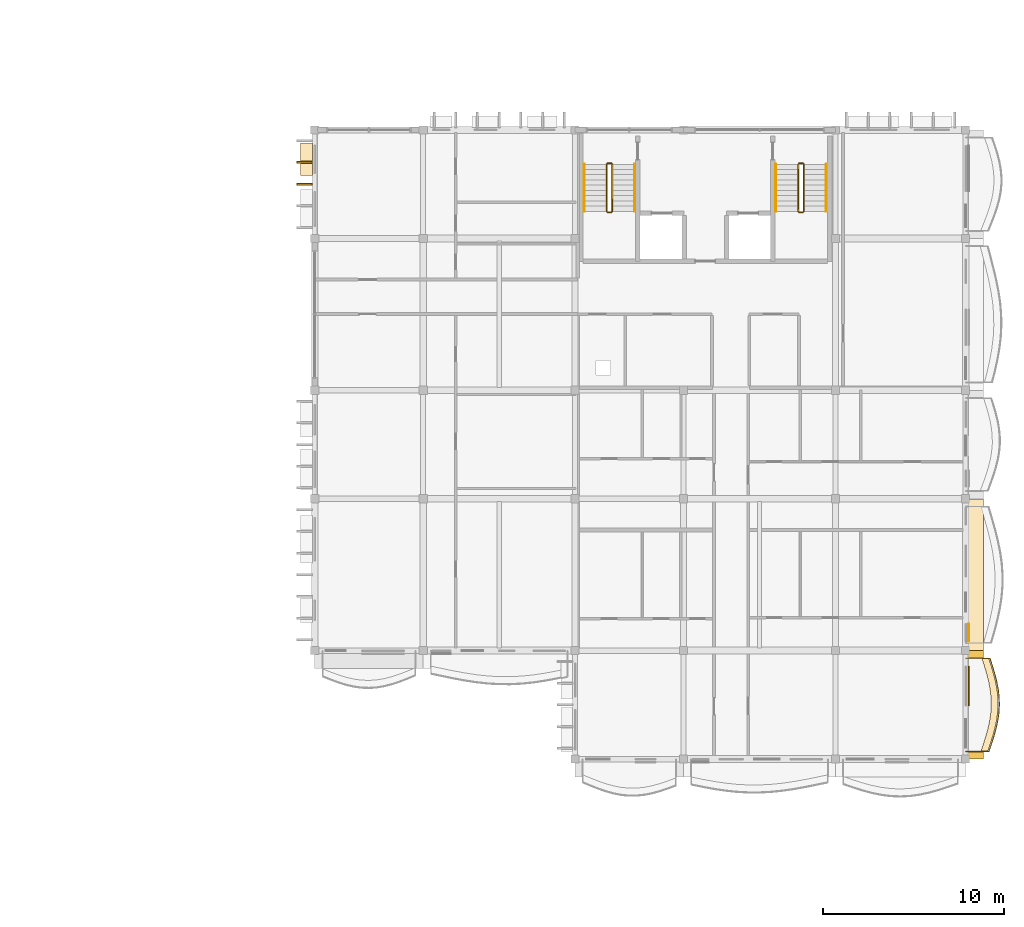
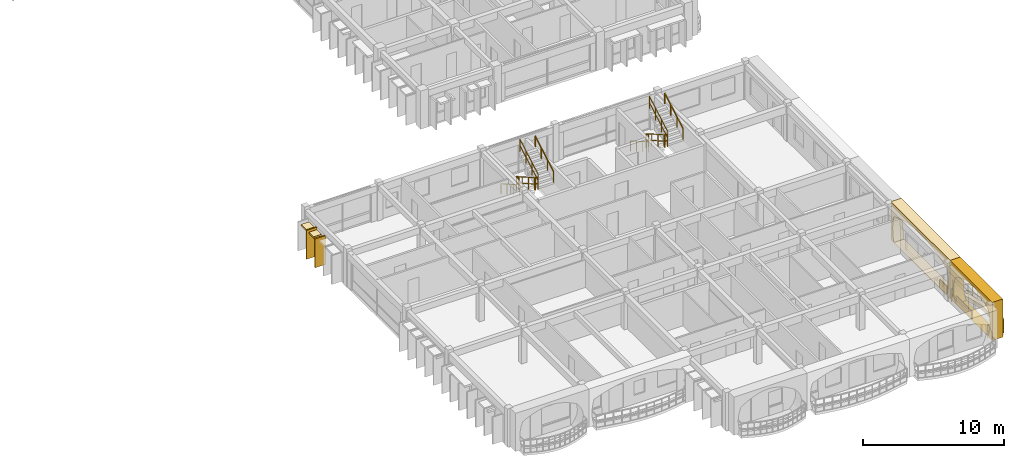
# One storey, part 68 of 76: 13 railings, 8 coverings.
"""IFC4 building model written with IfcOpenShell, lengths in metres."""

from ifc_helpers import new_model, si_unit, direction, frame, origin, origin_2d, place, context, subcontext, project, spatial, polyline, rectangle, outline, extrude, material, layer, layer_set, type_object, element, save


model = new_model("IFC4")

# Units and contexts
model_context = context("Model", 3, precision=1e-05, world=origin(), true_north=direction((0.0, 1.0)))
body_context = subcontext(model_context, "Body", "Model", "MODEL_VIEW")
ifc_project = project(units=[si_unit("LENGTHUNIT", "METRE"), si_unit("AREAUNIT", "SQUARE_METRE"), si_unit("VOLUMEUNIT", "CUBIC_METRE"), si_unit("PLANEANGLEUNIT", "RADIAN"), si_unit("MASSUNIT", "GRAM", prefix="KILO"), si_unit("THERMODYNAMICTEMPERATUREUNIT", "KELVIN")], contexts=[model_context])

# Site, building, storey
site_placement = place(None, origin())
site = spatial("IfcSite", under=ifc_project, at=site_placement, CompositionType="ELEMENT")
building_placement = place(site_placement, origin())
building = spatial("IfcBuilding", under=site, at=building_placement, Name="Thalorik Housing Commons", CompositionType="ELEMENT")
storey_placement = place(building_placement, frame((0.0, 0.0, 18.0)))
storey = spatial("IfcBuildingStorey", under=building, at=storey_placement, Name="L05", CompositionType="ELEMENT", Elevation=18.0)

# Coverings
ifc_material_1 = material(Name="Precast concrete C40/50", Category="concrete")
ifc_layer_1 = layer(ifc_material_1, 0.85009765625, Name="Precast concrete C40/50", Category="concrete")
ifc_layer_set_1 = layer_set([ifc_layer_1], Name="Precast concrete C40/50")
covering_type_1 = type_object("IfcCoveringType", Name="ARC-CLD-CUSH-850", PredefinedType="CLADDING", material=ifc_layer_set_1)
covering_1_placement = place(storey_placement, frame((174.554931640625, 40.199951171875, 0.0), z_axis=(0.0, 0.0, 1.0), x_axis=(0.0, 1.0, 0.0)))
element("IfcCovering", 1, at=covering_1_placement, inside=storey, type_object=covering_type_1, Name="L05 White Precast Curved Cushion Bay Frame 4893", PredefinedType="CLADDING", context=body_context, shape_type="SweptSolid", body=[
    extrude(outline(polyline([(-3.0, 0.0), (3.0, 0.0), (3.0, 3.300048828125), (-3.0, 3.300048828125), (-3.0, 0.0)]), holes=[polyline([(2.18994140625, 0.02490234375), (2.389892578125, 0.407470703125), (2.510009765625, 0.7900390625), (2.550048828125, 1.172607421875), (2.510009765625, 1.554931640625), (2.389892578125, 1.9375), (2.18994140625, 2.320068359375), (1.804931640625, 2.539306640625), (1.419921875, 2.711181640625), (1.034912109375, 2.8505859375), (0.64990234375, 2.954345703125), (0.264892578125, 3.018310546875), (-0.1201171875, 3.0400390625), (-0.5048828125, 3.018310546875), (-0.889892578125, 2.954345703125), (-1.27490234375, 2.8505859375), (-1.659912109375, 2.711181640625), (-2.044921875, 2.539306640625), (-2.429931640625, 2.320068359375), (-2.55029296875, 1.9375), (-2.62255859375, 1.554931640625), (-2.646484375, 1.172607421875), (-2.62255859375, 0.7900390625), (-2.55029296875, 0.407470703125), (-2.429931640625, 0.02490234375), (2.18994140625, 0.02490234375)])]), frame((0.0, 0.425048828125, 0.0), z_axis=(0.0, -1.0, 0.0), x_axis=(1.0, 0.0, 0.0)), (0.0, 0.0, 1.0), 0.85009765625),
])
covering_2_placement = place(storey_placement, frame((174.554931640625, 47.39990234375, 0.0), z_axis=(0.0, 0.0, 1.0), x_axis=(0.0, 1.0, 0.0)))
element("IfcCovering", 2, at=covering_2_placement, inside=storey, type_object=covering_type_1, Name="L05 White Precast Curved Cushion Bay Frame 4895", PredefinedType="CLADDING", context=body_context, shape_type="SweptSolid", body=[
    extrude(outline(polyline([(-4.199951171875, 0.0), (4.199951171875, 0.0), (4.199951171875, 3.300048828125), (-4.199951171875, 3.300048828125), (-4.199951171875, 0.0)]), holes=[polyline([(3.764892578125, 0.02490234375), (3.856689453125, 0.399169921875), (3.911865234375, 0.773193359375), (3.930419921875, 1.1474609375), (3.911865234375, 1.521728515625), (3.856689453125, 1.895751953125), (3.764892578125, 2.27001953125), (3.138916015625, 2.50439453125), (2.5126953125, 2.6884765625), (1.88671875, 2.837646484375), (1.260498046875, 2.948486328125), (0.63427734375, 3.016845703125), (0.00830078125, 3.0400390625), (-0.617919921875, 3.016845703125), (-1.244140625, 2.948486328125), (-1.8701171875, 2.837646484375), (-2.496337890625, 2.6884765625), (-3.12255859375, 2.50439453125), (-3.74853515625, 2.27001953125), (-3.843994140625, 1.895751953125), (-3.901123046875, 1.521728515625), (-3.920166015625, 1.1474609375), (-3.901123046875, 0.773193359375), (-3.843994140625, 0.399169921875), (-3.74853515625, 0.02490234375), (3.764892578125, 0.02490234375)])]), frame((0.0, 0.425048828125, 0.0), z_axis=(0.0, -1.0, 0.0), x_axis=(1.0, 0.0, 0.0)), (0.0, 0.0, 1.0), 0.85009765625),
])
ifc_layer_2 = layer(ifc_material_1, 0.85009765625, Name="Precast concrete C40/50", Category="concrete")
ifc_layer_set_2 = layer_set([ifc_layer_2], Name="Precast concrete C40/50")
covering_type_2 = type_object("IfcCoveringType", Name="ARC-CLD-FIN-850", PredefinedType="CLADDING", material=ifc_layer_set_2)
for number, where, z_axis, x_axis, name in (
    (3, (137.445068359375, 70.199951171875, 0.0400390625), (0.0, 0.0, 1.0), (0.0, -1.0, 0.0), "L05 Courtyard Precast Vertical Brise-Soleil Fin 4854"),
    (4, (137.445068359375, 69.0, 0.0400390625), (0.0, 0.0, 1.0), (0.0, -1.0, 0.0), "L05 Courtyard Precast Vertical Brise-Soleil Fin 4855"),
):
    element("IfcCovering", number, at=place(storey_placement, frame(where, z_axis=z_axis, x_axis=x_axis)), inside=storey, type_object=covering_type_2, Name=name, PredefinedType="CLADDING", context=body_context, shape_type="SweptSolid", body=[
        extrude(rectangle(XDim=0.110107421875, YDim=0.85009765625, at=origin_2d()), origin(), (0.0, 0.0, 1.0), 2.4951171875),
    ])
ifc_layer_3 = layer(ifc_material_1, 0.64990234375, Name="Precast concrete C40/50", Category="concrete")
ifc_layer_set_3 = layer_set([ifc_layer_3], Name="Precast concrete C40/50")
covering_type_3 = type_object("IfcCoveringType", Name="ARC-CLD-HOOD-650", PredefinedType="CLADDING", material=ifc_layer_set_3)
covering_3_placement = place(storey_placement, frame((137.544921875, 70.3701171875, 2.18994140625), z_axis=(0.0, 0.0, 1.0), x_axis=(0.0, -1.0, 0.0)))
element("IfcCovering", 5, at=covering_3_placement, inside=storey, type_object=covering_type_3, Name="L05 Courtyard Precast Window Sun-Hood 4858", PredefinedType="CLADDING", context=body_context, shape_type="SweptSolid", body=[
    extrude(rectangle(XDim=1.7900390625, YDim=0.64990234375, at=origin_2d()), origin(), (0.0, 0.0, 1.0), 0.139892578125),
])
ifc_material_2 = material(Name="Terracotta red mineral fibre-cement panel", Category="masonry")
ifc_layer_4 = layer(ifc_material_2, 0.054931640625, Name="Terracotta red mineral fibre-cement panel", Category="masonry")
ifc_layer_set_4 = layer_set([ifc_layer_4], Name="Terracotta red mineral fibre-cement panel")
covering_type_4 = type_object("IfcCoveringType", Name="ARC-CLD-RED-55", PredefinedType="CLADDING", material=ifc_layer_set_4)
covering_4_placement = place(storey_placement, frame((174.16259765625, 44.201416015625, 0.0498046875), z_axis=(0.0, 0.0, 1.0), x_axis=(0.0, 1.0, 0.0)))
element("IfcCovering", 6, at=covering_4_placement, inside=storey, type_object=covering_type_4, Name="L05 De Stijl Recessed Window Spandrel 4896", PredefinedType="CLADDING", context=body_context, shape_type="SweptSolid", body=[
    extrude(rectangle(XDim=1.0, YDim=0.054931640625, at=origin_2d()), origin(), (0.0, 0.0, 1.0), 0.699951171875),
])
ifc_material_3 = material(Name="Mineral ochre architectural terracotta panel", Category="masonry")
ifc_layer_5 = layer(ifc_material_3, 0.06494140625, Name="Mineral ochre architectural terracotta panel", Category="masonry")
ifc_layer_set_5 = layer_set([ifc_layer_5], Name="Mineral ochre architectural terracotta panel")
covering_type_5 = type_object("IfcCoveringType", Name="ARC-CLD-YEL-65", PredefinedType="CLADDING", material=ifc_layer_set_5)
covering_5_placement = place(storey_placement, frame((174.16748046875, 41.239990234375, 0.0498046875), z_axis=(0.0, 0.0, 1.0), x_axis=(0.0, 1.0, 0.0)))
element("IfcCovering", 7, at=covering_5_placement, inside=storey, type_object=covering_type_5, Name="L05 De Stijl Recessed Window Spandrel 4894", PredefinedType="CLADDING", context=body_context, shape_type="SweptSolid", body=[
    extrude(rectangle(XDim=2.199951171875, YDim=0.06494140625, at=origin_2d()), origin(), (0.0, 0.0, 1.0), 0.699951171875),
])
ifc_material_4 = material(Name="Planted vegetated substrate and terracotta trough", Category="masonry")
ifc_layer_6 = layer(ifc_material_4, 0.340087890625, Name="Planted vegetated substrate and terracotta trough", Category="masonry")
ifc_layer_set_6 = layer_set([ifc_layer_6], Name="Planted vegetated substrate and terracotta trough")
covering_type_6 = type_object("IfcCoveringType", Name="ARC-COV-PLANTER", PredefinedType="USERDEFINED", material=ifc_layer_set_6)
covering_6_placement = place(storey_placement, origin())
element("IfcCovering", 8, at=covering_6_placement, inside=storey, type_object=covering_type_6, Name="L05 Balcony Slab-Edge Planted Trough 5675", ObjectType="PLANTER", PredefinedType="USERDEFINED", context=body_context, shape_type="SweptSolid", body=[
    extrude(outline(polyline([(175.2216796875, 37.6201171875), (175.364501953125, 38.050048828125), (175.5, 38.47998046875), (175.6181640625, 38.909912109375), (175.710693359375, 39.340087890625), (175.771484375, 39.77001953125), (175.796142578125, 40.199951171875), (175.782958984375, 40.6298828125), (175.7333984375, 41.06005859375), (175.65087890625, 41.489990234375), (175.5419921875, 41.919921875), (175.414306640625, 42.35009765625), (175.27734375, 42.780029296875), (174.897216796875, 42.780029296875), (175.0341796875, 42.35009765625), (175.161865234375, 41.919921875), (175.27099609375, 41.489990234375), (175.353271484375, 41.06005859375), (175.403076171875, 40.6298828125), (175.416015625, 40.199951171875), (175.3916015625, 39.77001953125), (175.330810546875, 39.340087890625), (175.238037109375, 38.909912109375), (175.119873046875, 38.47998046875), (174.984619140625, 38.050048828125), (174.841796875, 37.6201171875), (175.2216796875, 37.6201171875)])), origin(), (0.0, 0.0, 1.0), 0.340087890625),
])

# Railings
ifc_material_5 = material(Name="Steel S355", Category="steel")
railing_type_1 = type_object("IfcRailingType", Name="ARC-RL-BAL-115", PredefinedType="BALUSTRADE", material=ifc_material_5)
railing_1_placement = place(storey_placement, frame((174.0, 37.6201171875, 0.0)))
element("IfcRailing", 9, at=railing_1_placement, inside=storey, type_object=railing_type_1, Name="L05 Cushion Balcony Guardrail 359", PredefinedType="BALUSTRADE", context=body_context, shape_type="SweptSolid", body=[
    extrude(rectangle(XDim=0.050048828125, YDim=0.050048828125, at=origin_2d()), frame((0.0, 0.0, 1.125), z_axis=(1.0, 0.0, 0.0), x_axis=(0.0, 1.0, 0.0)), (0.0, 0.0, 1.0), 1.291748046875),
    extrude(rectangle(XDim=0.050048828125, YDim=0.050048828125, at=origin_2d()), frame((0.0, 0.0, 0.5498046875), z_axis=(1.0, 0.0, 0.0), x_axis=(0.0, 1.0, 0.0)), (0.0, 0.0, 1.0), 1.291748046875),
    extrude(rectangle(XDim=0.050048828125, YDim=0.050048828125, at=origin_2d()), frame((1.291748046875, 0.0, 1.125), z_axis=(0.315257577395, 0.949006143234, 0.0), x_axis=(-0.949006143234, 0.315257577395, 0.0)), (0.0, 0.0, 1.0), 0.453125),
    extrude(rectangle(XDim=0.050048828125, YDim=0.050048828125, at=origin_2d()), frame((1.291748046875, 0.0, 0.5498046875), z_axis=(0.315257577395, 0.949006143234, 0.0), x_axis=(-0.949006143234, 0.315257577395, 0.0)), (0.0, 0.0, 1.0), 0.453125),
    extrude(rectangle(XDim=0.050048828125, YDim=0.050048828125, at=origin_2d()), frame((1.4345703125, 0.429931640625, 1.125), z_axis=(0.300094208559, 0.953909569084, 0.0), x_axis=(-0.953909569084, 0.300094208559, 0.0)), (0.0, 0.0, 1.0), 0.45068359375),
    extrude(rectangle(XDim=0.050048828125, YDim=0.050048828125, at=origin_2d()), frame((1.4345703125, 0.429931640625, 0.5498046875), z_axis=(0.300094208559, 0.953909569084, 0.0), x_axis=(-0.953909569084, 0.300094208559, 0.0)), (0.0, 0.0, 1.0), 0.45068359375),
    extrude(rectangle(XDim=0.050048828125, YDim=0.050048828125, at=origin_2d()), frame((1.56982421875, 0.85986328125, 1.125), z_axis=(0.265016489476, 0.964243880098, 0.0), x_axis=(-0.964243880098, 0.265016489476, 0.0)), (0.0, 0.0, 1.0), 0.44580078125),
    extrude(rectangle(XDim=0.050048828125, YDim=0.050048828125, at=origin_2d()), frame((1.56982421875, 0.85986328125, 0.5498046875), z_axis=(0.265016489476, 0.964243880098, 0.0), x_axis=(-0.964243880098, 0.265016489476, 0.0)), (0.0, 0.0, 1.0), 0.44580078125),
    extrude(rectangle(XDim=0.050048828125, YDim=0.050048828125, at=origin_2d()), frame((1.68798828125, 1.289794921875, 1.125), z_axis=(0.210817083174, 0.97752552777, 0.0), x_axis=(-0.97752552777, 0.210817083174, 0.0)), (0.0, 0.0, 1.0), 0.440185546875),
    extrude(rectangle(XDim=0.050048828125, YDim=0.050048828125, at=origin_2d()), frame((1.68798828125, 1.289794921875, 0.5498046875), z_axis=(0.210817083174, 0.97752552777, 0.0), x_axis=(-0.97752552777, 0.210817083174, 0.0)), (0.0, 0.0, 1.0), 0.440185546875),
    extrude(rectangle(XDim=0.050048828125, YDim=0.050048828125, at=origin_2d()), frame((1.78076171875, 1.719970703125, 1.125), z_axis=(0.140004300387, 0.990150895507, 0.0), x_axis=(-0.990150895507, 0.140004300387, 0.0)), (0.0, 0.0, 1.0), 0.434326171875),
    extrude(rectangle(XDim=0.050048828125, YDim=0.050048828125, at=origin_2d()), frame((1.78076171875, 1.719970703125, 0.5498046875), z_axis=(0.140004300387, 0.990150895507, 0.0), x_axis=(-0.990150895507, 0.140004300387, 0.0)), (0.0, 0.0, 1.0), 0.434326171875),
    extrude(rectangle(XDim=0.050048828125, YDim=0.050048828125, at=origin_2d()), frame((1.841552734375, 2.14990234375, 1.125), z_axis=(0.057259677, 0.998359318778, 0.0), x_axis=(-0.998359318778, 0.057259677, 0.0)), (0.0, 0.0, 1.0), 0.4306640625),
    extrude(rectangle(XDim=0.050048828125, YDim=0.050048828125, at=origin_2d()), frame((1.841552734375, 2.14990234375, 0.5498046875), z_axis=(0.057259677, 0.998359318778, 0.0), x_axis=(-0.998359318778, 0.057259677, 0.0)), (0.0, 0.0, 1.0), 0.4306640625),
    extrude(rectangle(XDim=0.050048828125, YDim=0.050048828125, at=origin_2d()), frame((1.8662109375, 2.579833984375, 1.125), z_axis=(-0.030649988445, 0.999530178738, 0.0), x_axis=(-0.999530178738, -0.030649988445, 0.0)), (0.0, 0.0, 1.0), 0.43017578125),
    extrude(rectangle(XDim=0.050048828125, YDim=0.050048828125, at=origin_2d()), frame((1.8662109375, 2.579833984375, 0.5498046875), z_axis=(-0.030649988445, 0.999530178738, 0.0), x_axis=(-0.999530178738, -0.030649988445, 0.0)), (0.0, 0.0, 1.0), 0.43017578125),
    extrude(rectangle(XDim=0.050048828125, YDim=0.050048828125, at=origin_2d()), frame((1.85302734375, 3.009765625, 1.125), z_axis=(-0.115009274268, 0.993364417942, 0.0), x_axis=(-0.993364417942, -0.115009274268, 0.0)), (0.0, 0.0, 1.0), 0.43310546875),
    extrude(rectangle(XDim=0.050048828125, YDim=0.050048828125, at=origin_2d()), frame((1.85302734375, 3.009765625, 0.5498046875), z_axis=(-0.115009274268, 0.993364417942, 0.0), x_axis=(-0.993364417942, -0.115009274268, 0.0)), (0.0, 0.0, 1.0), 0.43310546875),
    extrude(rectangle(XDim=0.050048828125, YDim=0.050048828125, at=origin_2d()), frame((1.80322265625, 3.43994140625, 1.125), z_axis=(-0.187957799209, 0.982177105066, 0.0), x_axis=(-0.982177105066, -0.187957799209, 0.0)), (0.0, 0.0, 1.0), 0.437744140625),
    extrude(rectangle(XDim=0.050048828125, YDim=0.050048828125, at=origin_2d()), frame((1.80322265625, 3.43994140625, 0.5498046875), z_axis=(-0.187957799209, 0.982177105066, 0.0), x_axis=(-0.982177105066, -0.187957799209, 0.0)), (0.0, 0.0, 1.0), 0.437744140625),
    extrude(rectangle(XDim=0.050048828125, YDim=0.050048828125, at=origin_2d()), frame((1.720947265625, 3.869873046875, 1.125), z_axis=(-0.246030735981, 0.969262026984, 0.0), x_axis=(-0.969262026984, -0.246030735981, 0.0)), (0.0, 0.0, 1.0), 0.443603515625),
    extrude(rectangle(XDim=0.050048828125, YDim=0.050048828125, at=origin_2d()), frame((1.720947265625, 3.869873046875, 0.5498046875), z_axis=(-0.246030735981, 0.969262026984, 0.0), x_axis=(-0.969262026984, -0.246030735981, 0.0)), (0.0, 0.0, 1.0), 0.443603515625),
    extrude(rectangle(XDim=0.050048828125, YDim=0.050048828125, at=origin_2d()), frame((1.61181640625, 4.2998046875, 1.125), z_axis=(-0.28405127448, 0.958809091251, 0.0), x_axis=(-0.958809091251, -0.28405127448, 0.0)), (0.0, 0.0, 1.0), 0.44873046875),
    extrude(rectangle(XDim=0.050048828125, YDim=0.050048828125, at=origin_2d()), frame((1.61181640625, 4.2998046875, 0.5498046875), z_axis=(-0.28405127448, 0.958809091251, 0.0), x_axis=(-0.958809091251, -0.28405127448, 0.0)), (0.0, 0.0, 1.0), 0.44873046875),
    extrude(rectangle(XDim=0.050048828125, YDim=0.050048828125, at=origin_2d()), frame((1.484375, 4.72998046875, 1.125), z_axis=(-0.30353863317, 0.952819131931, 0.0), x_axis=(-0.952819131931, -0.30353863317, 0.0)), (0.0, 0.0, 1.0), 0.451171875),
    extrude(rectangle(XDim=0.050048828125, YDim=0.050048828125, at=origin_2d()), frame((1.484375, 4.72998046875, 0.5498046875), z_axis=(-0.30353863317, 0.952819131931, 0.0), x_axis=(-0.952819131931, -0.30353863317, 0.0)), (0.0, 0.0, 1.0), 0.451171875),
    extrude(rectangle(XDim=0.050048828125, YDim=0.050048828125, at=origin_2d()), frame((1.347412109375, 5.159912109375, 1.125), z_axis=(-1.0, 0.0, 0.0), x_axis=(0.0, -1.0, 0.0)), (0.0, 0.0, 1.0), 1.347412109375),
    extrude(rectangle(XDim=0.050048828125, YDim=0.050048828125, at=origin_2d()), frame((1.347412109375, 5.159912109375, 0.5498046875), z_axis=(-1.0, 0.0, 0.0), x_axis=(0.0, -1.0, 0.0)), (0.0, 0.0, 1.0), 1.347412109375),
    extrude(rectangle(XDim=0.0419921875, YDim=0.0419921875, at=origin_2d()), origin(), (0.0, 0.0, 1.0), 1.099853515625),
    extrude(rectangle(XDim=0.0419921875, YDim=0.0419921875, at=origin_2d()), frame((1.291748046875, 0.0, 0.0)), (0.0, 0.0, 1.0), 1.099853515625),
    extrude(rectangle(XDim=0.0419921875, YDim=0.0419921875, at=origin_2d()), frame((1.4345703125, 0.429931640625, 0.0)), (0.0, 0.0, 1.0), 1.099853515625),
    extrude(rectangle(XDim=0.0419921875, YDim=0.0419921875, at=origin_2d()), frame((1.56982421875, 0.85986328125, 0.0)), (0.0, 0.0, 1.0), 1.099853515625),
    extrude(rectangle(XDim=0.0419921875, YDim=0.0419921875, at=origin_2d()), frame((1.68798828125, 1.289794921875, 0.0)), (0.0, 0.0, 1.0), 1.099853515625),
    extrude(rectangle(XDim=0.0419921875, YDim=0.0419921875, at=origin_2d()), frame((1.78076171875, 1.719970703125, 0.0)), (0.0, 0.0, 1.0), 1.099853515625),
    extrude(rectangle(XDim=0.0419921875, YDim=0.0419921875, at=origin_2d()), frame((1.841552734375, 2.14990234375, 0.0)), (0.0, 0.0, 1.0), 1.099853515625),
    extrude(rectangle(XDim=0.0419921875, YDim=0.0419921875, at=origin_2d()), frame((1.8662109375, 2.579833984375, 0.0)), (0.0, 0.0, 1.0), 1.099853515625),
    extrude(rectangle(XDim=0.0419921875, YDim=0.0419921875, at=origin_2d()), frame((1.85302734375, 3.009765625, 0.0)), (0.0, 0.0, 1.0), 1.099853515625),
    extrude(rectangle(XDim=0.0419921875, YDim=0.0419921875, at=origin_2d()), frame((1.80322265625, 3.43994140625, 0.0)), (0.0, 0.0, 1.0), 1.099853515625),
    extrude(rectangle(XDim=0.0419921875, YDim=0.0419921875, at=origin_2d()), frame((1.720947265625, 3.869873046875, 0.0)), (0.0, 0.0, 1.0), 1.099853515625),
    extrude(rectangle(XDim=0.0419921875, YDim=0.0419921875, at=origin_2d()), frame((1.61181640625, 4.2998046875, 0.0)), (0.0, 0.0, 1.0), 1.099853515625),
    extrude(rectangle(XDim=0.0419921875, YDim=0.0419921875, at=origin_2d()), frame((1.484375, 4.72998046875, 0.0)), (0.0, 0.0, 1.0), 1.099853515625),
    extrude(rectangle(XDim=0.0419921875, YDim=0.0419921875, at=origin_2d()), frame((1.347412109375, 5.159912109375, 0.0)), (0.0, 0.0, 1.0), 1.099853515625),
    extrude(rectangle(XDim=0.0419921875, YDim=0.0419921875, at=origin_2d()), frame((0.0, 5.159912109375, 0.0)), (0.0, 0.0, 1.0), 1.099853515625),
])
railing_type_2 = type_object("IfcRailingType", Name="ARC-RL-STR-GRD110", PredefinedType="GUARDRAIL", material=ifc_material_5)
railing_2_placement = place(storey_placement, frame((154.14990234375, 70.10009765625, 0.1650390625)))
element("IfcRailing", 10, at=railing_2_placement, inside=storey, type_object=railing_type_2, Name="L05 ST-D1 stair guard 1", PredefinedType="GUARDRAIL", context=body_context, shape_type="SweptSolid", body=[
    extrude(rectangle(XDim=0.048095703125, YDim=0.048095703125, at=origin_2d()), frame((0.0, 0.0, 1.076171875), z_axis=(0.0, -0.869192148207, 0.494474478103), x_axis=(1.0, 0.0, 0.0)), (0.0, 0.0, 1.0), 3.0029296875),
    extrude(rectangle(XDim=0.048095703125, YDim=0.048095703125, at=origin_2d()), frame((0.0, 0.0, 0.52587890625), z_axis=(0.0, -0.869192148207, 0.494474478103), x_axis=(1.0, 0.0, 0.0)), (0.0, 0.0, 1.0), 3.0029296875),
    extrude(rectangle(XDim=0.0419921875, YDim=0.0419921875, at=origin_2d()), origin(), (0.0, 0.0, 1.0), 1.052001953125),
    extrude(rectangle(XDim=0.0419921875, YDim=0.0419921875, at=origin_2d()), frame((0.0, -0.8701171875, 0.494873046875)), (0.0, 0.0, 1.0), 1.052001953125),
    extrude(rectangle(XDim=0.0419921875, YDim=0.0419921875, at=origin_2d()), frame((0.0, -1.739990234375, 0.989990234375)), (0.0, 0.0, 1.0), 1.052001953125),
    extrude(rectangle(XDim=0.0419921875, YDim=0.0419921875, at=origin_2d()), frame((0.0, -2.610107421875, 1.48486328125)), (0.0, 0.0, 1.0), 1.052001953125),
])
railing_3_placement = place(storey_placement, frame((154.199951171875, 67.43994140625, 1.64990234375)))
element("IfcRailing", 11, at=railing_3_placement, inside=storey, type_object=railing_type_2, Name="L05 ST-D1 stair guard 2", PredefinedType="GUARDRAIL", context=body_context, shape_type="SweptSolid", body=[
    extrude(rectangle(XDim=0.048095703125, YDim=0.048095703125, at=origin_2d()), frame((0.0, 0.0, 1.076171875), z_axis=(1.0, 0.0, 0.0), x_axis=(0.0, 1.0, 0.0)), (0.0, 0.0, 1.0), 0.199951171875),
    extrude(rectangle(XDim=0.048095703125, YDim=0.048095703125, at=origin_2d()), frame((0.0, 0.0, 0.52587890625), z_axis=(1.0, 0.0, 0.0), x_axis=(0.0, 1.0, 0.0)), (0.0, 0.0, 1.0), 0.199951171875),
    extrude(rectangle(XDim=0.0419921875, YDim=0.0419921875, at=origin_2d()), origin(), (0.0, 0.0, 1.0), 1.052001953125),
    extrude(rectangle(XDim=0.0419921875, YDim=0.0419921875, at=origin_2d()), frame((0.199951171875, 0.0, 0.0)), (0.0, 0.0, 1.0), 1.052001953125),
])
railing_4_placement = place(storey_placement, frame((154.449951171875, 67.489990234375, 1.81494140625)))
element("IfcRailing", 12, at=railing_4_placement, inside=storey, type_object=railing_type_2, Name="L05 ST-D1 stair guard 3", PredefinedType="GUARDRAIL", context=body_context, shape_type="SweptSolid", body=[
    extrude(rectangle(XDim=0.048095703125, YDim=0.048095703125, at=origin_2d()), frame((0.0, 0.0, 1.076171875), z_axis=(0.0, 0.869157204687, 0.49453589712), x_axis=(-1.0, 0.0, 0.0)), (0.0, 0.0, 1.0), 3.0029296875),
    extrude(rectangle(XDim=0.048095703125, YDim=0.048095703125, at=origin_2d()), frame((0.0, 0.0, 0.52587890625), z_axis=(0.0, 0.869157204687, 0.49453589712), x_axis=(-1.0, 0.0, 0.0)), (0.0, 0.0, 1.0), 3.0029296875),
    extrude(rectangle(XDim=0.0419921875, YDim=0.0419921875, at=origin_2d()), origin(), (0.0, 0.0, 1.0), 1.052001953125),
    extrude(rectangle(XDim=0.0419921875, YDim=0.0419921875, at=origin_2d()), frame((0.0, 0.8701171875, 0.4951171875)), (0.0, 0.0, 1.0), 1.052001953125),
    extrude(rectangle(XDim=0.0419921875, YDim=0.0419921875, at=origin_2d()), frame((0.0, 1.739990234375, 0.989990234375)), (0.0, 0.0, 1.0), 1.052001953125),
    extrude(rectangle(XDim=0.0419921875, YDim=0.0419921875, at=origin_2d()), frame((0.0, 2.610107421875, 1.485107421875)), (0.0, 0.0, 1.0), 1.052001953125),
])
railing_5_placement = place(storey_placement, frame((154.199951171875, 70.14990234375, 0.0)))
element("IfcRailing", 13, at=railing_5_placement, inside=storey, type_object=railing_type_2, Name="L05 ST-D1 stair guard 4", PredefinedType="GUARDRAIL", context=body_context, shape_type="SweptSolid", body=[
    extrude(rectangle(XDim=0.048095703125, YDim=0.048095703125, at=origin_2d()), frame((0.0, 0.0, 1.076171875), z_axis=(1.0, 0.0, 0.0), x_axis=(0.0, 1.0, 0.0)), (0.0, 0.0, 1.0), 0.199951171875),
    extrude(rectangle(XDim=0.048095703125, YDim=0.048095703125, at=origin_2d()), frame((0.0, 0.0, 0.52587890625), z_axis=(1.0, 0.0, 0.0), x_axis=(0.0, 1.0, 0.0)), (0.0, 0.0, 1.0), 0.199951171875),
    extrude(rectangle(XDim=0.0419921875, YDim=0.0419921875, at=origin_2d()), origin(), (0.0, 0.0, 1.0), 1.052001953125),
    extrude(rectangle(XDim=0.0419921875, YDim=0.0419921875, at=origin_2d()), frame((0.199951171875, 0.0, 0.0)), (0.0, 0.0, 1.0), 1.052001953125),
])
railing_6_placement = place(storey_placement, frame((164.75, 70.10009765625, 0.1650390625)))
element("IfcRailing", 14, at=railing_6_placement, inside=storey, type_object=railing_type_2, Name="L05 ST-D2 stair guard 1", PredefinedType="GUARDRAIL", context=body_context, shape_type="SweptSolid", body=[
    extrude(rectangle(XDim=0.048095703125, YDim=0.048095703125, at=origin_2d()), frame((0.0, 0.0, 1.076171875), z_axis=(0.0, -0.869192148207, 0.494474478103), x_axis=(1.0, 0.0, 0.0)), (0.0, 0.0, 1.0), 3.0029296875),
    extrude(rectangle(XDim=0.048095703125, YDim=0.048095703125, at=origin_2d()), frame((0.0, 0.0, 0.52587890625), z_axis=(0.0, -0.869192148207, 0.494474478103), x_axis=(1.0, 0.0, 0.0)), (0.0, 0.0, 1.0), 3.0029296875),
    extrude(rectangle(XDim=0.0419921875, YDim=0.0419921875, at=origin_2d()), origin(), (0.0, 0.0, 1.0), 1.052001953125),
    extrude(rectangle(XDim=0.0419921875, YDim=0.0419921875, at=origin_2d()), frame((0.0, -0.8701171875, 0.494873046875)), (0.0, 0.0, 1.0), 1.052001953125),
    extrude(rectangle(XDim=0.0419921875, YDim=0.0419921875, at=origin_2d()), frame((0.0, -1.739990234375, 0.989990234375)), (0.0, 0.0, 1.0), 1.052001953125),
    extrude(rectangle(XDim=0.0419921875, YDim=0.0419921875, at=origin_2d()), frame((0.0, -2.610107421875, 1.48486328125)), (0.0, 0.0, 1.0), 1.052001953125),
])
railing_7_placement = place(storey_placement, frame((164.800048828125, 67.43994140625, 1.64990234375)))
element("IfcRailing", 15, at=railing_7_placement, inside=storey, type_object=railing_type_2, Name="L05 ST-D2 stair guard 2", PredefinedType="GUARDRAIL", context=body_context, shape_type="SweptSolid", body=[
    extrude(rectangle(XDim=0.048095703125, YDim=0.048095703125, at=origin_2d()), frame((0.0, 0.0, 1.076171875), z_axis=(1.0, 0.0, 0.0), x_axis=(0.0, 1.0, 0.0)), (0.0, 0.0, 1.0), 0.199951171875),
    extrude(rectangle(XDim=0.048095703125, YDim=0.048095703125, at=origin_2d()), frame((0.0, 0.0, 0.52587890625), z_axis=(1.0, 0.0, 0.0), x_axis=(0.0, 1.0, 0.0)), (0.0, 0.0, 1.0), 0.199951171875),
    extrude(rectangle(XDim=0.0419921875, YDim=0.0419921875, at=origin_2d()), origin(), (0.0, 0.0, 1.0), 1.052001953125),
    extrude(rectangle(XDim=0.0419921875, YDim=0.0419921875, at=origin_2d()), frame((0.199951171875, 0.0, 0.0)), (0.0, 0.0, 1.0), 1.052001953125),
])
railing_8_placement = place(storey_placement, frame((165.050048828125, 67.489990234375, 1.81494140625)))
element("IfcRailing", 16, at=railing_8_placement, inside=storey, type_object=railing_type_2, Name="L05 ST-D2 stair guard 3", PredefinedType="GUARDRAIL", context=body_context, shape_type="SweptSolid", body=[
    extrude(rectangle(XDim=0.048095703125, YDim=0.048095703125, at=origin_2d()), frame((0.0, 0.0, 1.076171875), z_axis=(0.0, 0.869157204687, 0.49453589712), x_axis=(-1.0, 0.0, 0.0)), (0.0, 0.0, 1.0), 3.0029296875),
    extrude(rectangle(XDim=0.048095703125, YDim=0.048095703125, at=origin_2d()), frame((0.0, 0.0, 0.52587890625), z_axis=(0.0, 0.869157204687, 0.49453589712), x_axis=(-1.0, 0.0, 0.0)), (0.0, 0.0, 1.0), 3.0029296875),
    extrude(rectangle(XDim=0.0419921875, YDim=0.0419921875, at=origin_2d()), origin(), (0.0, 0.0, 1.0), 1.052001953125),
    extrude(rectangle(XDim=0.0419921875, YDim=0.0419921875, at=origin_2d()), frame((0.0, 0.8701171875, 0.4951171875)), (0.0, 0.0, 1.0), 1.052001953125),
    extrude(rectangle(XDim=0.0419921875, YDim=0.0419921875, at=origin_2d()), frame((0.0, 1.739990234375, 0.989990234375)), (0.0, 0.0, 1.0), 1.052001953125),
    extrude(rectangle(XDim=0.0419921875, YDim=0.0419921875, at=origin_2d()), frame((0.0, 2.610107421875, 1.485107421875)), (0.0, 0.0, 1.0), 1.052001953125),
])
railing_9_placement = place(storey_placement, frame((164.800048828125, 70.14990234375, 0.0)))
element("IfcRailing", 17, at=railing_9_placement, inside=storey, type_object=railing_type_2, Name="L05 ST-D2 stair guard 4", PredefinedType="GUARDRAIL", context=body_context, shape_type="SweptSolid", body=[
    extrude(rectangle(XDim=0.048095703125, YDim=0.048095703125, at=origin_2d()), frame((0.0, 0.0, 1.076171875), z_axis=(1.0, 0.0, 0.0), x_axis=(0.0, 1.0, 0.0)), (0.0, 0.0, 1.0), 0.199951171875),
    extrude(rectangle(XDim=0.048095703125, YDim=0.048095703125, at=origin_2d()), frame((0.0, 0.0, 0.52587890625), z_axis=(1.0, 0.0, 0.0), x_axis=(0.0, 1.0, 0.0)), (0.0, 0.0, 1.0), 0.199951171875),
    extrude(rectangle(XDim=0.0419921875, YDim=0.0419921875, at=origin_2d()), origin(), (0.0, 0.0, 1.0), 1.052001953125),
    extrude(rectangle(XDim=0.0419921875, YDim=0.0419921875, at=origin_2d()), frame((0.199951171875, 0.0, 0.0)), (0.0, 0.0, 1.0), 1.052001953125),
])
railing_type_3 = type_object("IfcRailingType", Name="ARC-RL-STR-HR092", PredefinedType="HANDRAIL", material=ifc_material_5)
railing_10_placement = place(storey_placement, frame((152.89990234375, 70.10009765625, 0.1650390625)))
element("IfcRailing", 18, at=railing_10_placement, inside=storey, type_object=railing_type_3, Name="L05 ST-D1 stair handrail 1", PredefinedType="HANDRAIL", context=body_context, shape_type="SweptSolid", body=[
    extrude(rectangle(XDim=0.048095703125, YDim=0.048095703125, at=origin_2d()), frame((0.0, 0.0, 0.89599609375), z_axis=(0.0, -0.869192148207, 0.494474478103), x_axis=(1.0, 0.0, 0.0)), (0.0, 0.0, 1.0), 3.0029296875),
    extrude(rectangle(XDim=0.0419921875, YDim=0.0419921875, at=origin_2d()), origin(), (0.0, 0.0, 1.0), 0.871826171875),
    extrude(rectangle(XDim=0.0419921875, YDim=0.0419921875, at=origin_2d()), frame((0.0, -0.8701171875, 0.494873046875)), (0.0, 0.0, 1.0), 0.871826171875),
    extrude(rectangle(XDim=0.0419921875, YDim=0.0419921875, at=origin_2d()), frame((0.0, -1.739990234375, 0.989990234375)), (0.0, 0.0, 1.0), 0.871826171875),
    extrude(rectangle(XDim=0.0419921875, YDim=0.0419921875, at=origin_2d()), frame((0.0, -2.610107421875, 1.48486328125)), (0.0, 0.0, 1.0), 0.871826171875),
])
railing_11_placement = place(storey_placement, frame((155.699951171875, 67.489990234375, 1.81494140625)))
element("IfcRailing", 19, at=railing_11_placement, inside=storey, type_object=railing_type_3, Name="L05 ST-D1 stair handrail 2", PredefinedType="HANDRAIL", context=body_context, shape_type="SweptSolid", body=[
    extrude(rectangle(XDim=0.048095703125, YDim=0.048095703125, at=origin_2d()), frame((0.0, 0.0, 0.89599609375), z_axis=(0.0, 0.869157204687, 0.49453589712), x_axis=(-1.0, 0.0, 0.0)), (0.0, 0.0, 1.0), 3.0029296875),
    extrude(rectangle(XDim=0.0419921875, YDim=0.0419921875, at=origin_2d()), origin(), (0.0, 0.0, 1.0), 0.871826171875),
    extrude(rectangle(XDim=0.0419921875, YDim=0.0419921875, at=origin_2d()), frame((0.0, 0.8701171875, 0.4951171875)), (0.0, 0.0, 1.0), 0.871826171875),
    extrude(rectangle(XDim=0.0419921875, YDim=0.0419921875, at=origin_2d()), frame((0.0, 1.739990234375, 0.989990234375)), (0.0, 0.0, 1.0), 0.871826171875),
    extrude(rectangle(XDim=0.0419921875, YDim=0.0419921875, at=origin_2d()), frame((0.0, 2.610107421875, 1.485107421875)), (0.0, 0.0, 1.0), 0.871826171875),
])
railing_12_placement = place(storey_placement, frame((163.5, 70.10009765625, 0.1650390625)))
element("IfcRailing", 20, at=railing_12_placement, inside=storey, type_object=railing_type_3, Name="L05 ST-D2 stair handrail 1", PredefinedType="HANDRAIL", context=body_context, shape_type="SweptSolid", body=[
    extrude(rectangle(XDim=0.048095703125, YDim=0.048095703125, at=origin_2d()), frame((0.0, 0.0, 0.89599609375), z_axis=(0.0, -0.869192148207, 0.494474478103), x_axis=(1.0, 0.0, 0.0)), (0.0, 0.0, 1.0), 3.0029296875),
    extrude(rectangle(XDim=0.0419921875, YDim=0.0419921875, at=origin_2d()), origin(), (0.0, 0.0, 1.0), 0.871826171875),
    extrude(rectangle(XDim=0.0419921875, YDim=0.0419921875, at=origin_2d()), frame((0.0, -0.8701171875, 0.494873046875)), (0.0, 0.0, 1.0), 0.871826171875),
    extrude(rectangle(XDim=0.0419921875, YDim=0.0419921875, at=origin_2d()), frame((0.0, -1.739990234375, 0.989990234375)), (0.0, 0.0, 1.0), 0.871826171875),
    extrude(rectangle(XDim=0.0419921875, YDim=0.0419921875, at=origin_2d()), frame((0.0, -2.610107421875, 1.48486328125)), (0.0, 0.0, 1.0), 0.871826171875),
])
railing_13_placement = place(storey_placement, frame((166.300048828125, 67.489990234375, 1.81494140625)))
element("IfcRailing", 21, at=railing_13_placement, inside=storey, type_object=railing_type_3, Name="L05 ST-D2 stair handrail 2", PredefinedType="HANDRAIL", context=body_context, shape_type="SweptSolid", body=[
    extrude(rectangle(XDim=0.048095703125, YDim=0.048095703125, at=origin_2d()), frame((0.0, 0.0, 0.89599609375), z_axis=(0.0, 0.869157204687, 0.49453589712), x_axis=(-1.0, 0.0, 0.0)), (0.0, 0.0, 1.0), 3.0029296875),
    extrude(rectangle(XDim=0.0419921875, YDim=0.0419921875, at=origin_2d()), origin(), (0.0, 0.0, 1.0), 0.871826171875),
    extrude(rectangle(XDim=0.0419921875, YDim=0.0419921875, at=origin_2d()), frame((0.0, 0.8701171875, 0.4951171875)), (0.0, 0.0, 1.0), 0.871826171875),
    extrude(rectangle(XDim=0.0419921875, YDim=0.0419921875, at=origin_2d()), frame((0.0, 1.739990234375, 0.989990234375)), (0.0, 0.0, 1.0), 0.871826171875),
    extrude(rectangle(XDim=0.0419921875, YDim=0.0419921875, at=origin_2d()), frame((0.0, 2.610107421875, 1.485107421875)), (0.0, 0.0, 1.0), 0.871826171875),
])

save(model, "model.ifc")
